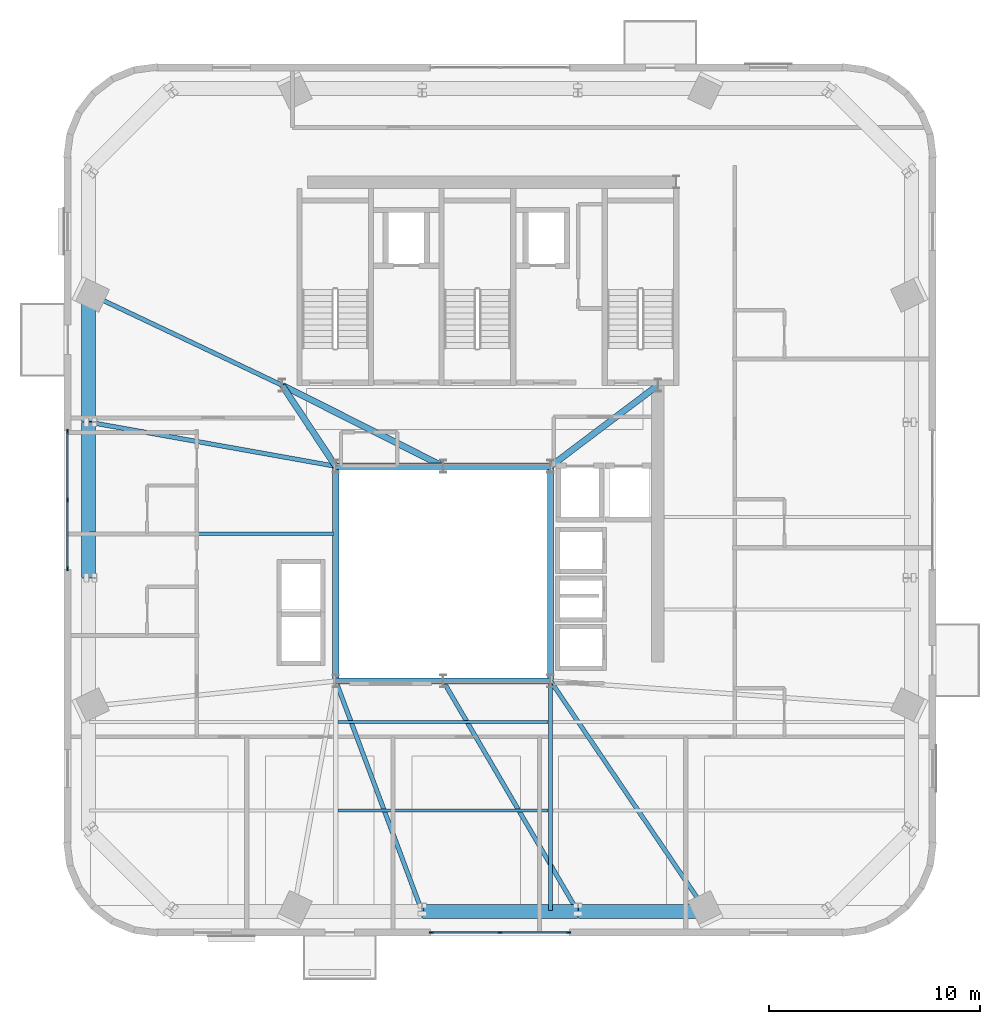
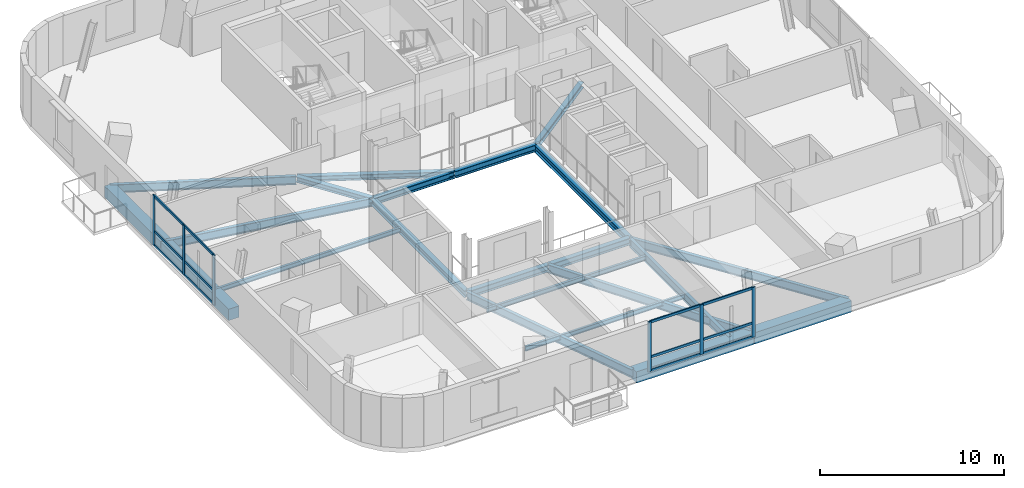
# One storey, part 2 of 13: 22 beams, 18 members, 2 elements without a shape of their own.
"""IFC4 building model written with IfcOpenShell, lengths in metres."""

from ifc_helpers import new_model, si_unit, direction, frame, origin, origin_2d, place, context, subcontext, project, spatial, rectangle, i_section, extrude, source, transform, mapped, material, material_profile, profile_set, type_object, element, aggregate, save


model = new_model("IFC4")

# Units and contexts
model_context = context("Model", 3, precision=1e-05, world=origin(), true_north=direction((0.0, 1.0)))
body_context = subcontext(model_context, "Body", "Model", "MODEL_VIEW")
ifc_project = project(units=[si_unit("LENGTHUNIT", "METRE"), si_unit("AREAUNIT", "SQUARE_METRE"), si_unit("VOLUMEUNIT", "CUBIC_METRE"), si_unit("PLANEANGLEUNIT", "RADIAN"), si_unit("MASSUNIT", "GRAM", prefix="KILO")], contexts=[model_context])

# Site, building, storey
site_placement = place(None, origin())
site = spatial("IfcSite", under=ifc_project, at=site_placement, CompositionType="ELEMENT")
building_placement = place(site_placement, origin())
building = spatial("IfcBuilding", under=site, at=building_placement, Name="Vardaveli Station Tower", CompositionType="ELEMENT")
storey_placement = place(building_placement, frame((0.0, 0.0, 274.300048828125)))
storey = spatial("IfcBuildingStorey", under=building, at=storey_placement, Name="L70", CompositionType="ELEMENT", Elevation=274.300048828125)

# Beams
ifc_material_1 = material(Name="Structural steel S355J2", Category="steel")
ifc_material_profile_1 = material_profile(ifc_material_1, i_section(OverallWidth=0.300048828125, OverallDepth=0.449951171875, WebThickness=0.013916015625, FlangeThickness=0.02587890625, FilletRadius=0.027099609375, at=origin_2d()), Name="HEB 450")
ifc_profile_set_1 = profile_set([ifc_material_profile_1], Name="Structural steel S355J2")
beam_type_1 = type_object("IfcBeamType", Name="BM-HEB450", PredefinedType="BEAM", material=ifc_profile_set_1)
shared_shape_1 = source(origin(), body_context, "Body", "SweptSolid", [
    extrude(i_section(OverallWidth=0.300048828125, OverallDepth=0.449951171875, WebThickness=0.013916015625, FlangeThickness=0.02587890625, FilletRadius=0.027099609375, at=origin_2d()), origin(), (0.0, 0.0, 1.0), 5.06005859375),
])
for number, where, z_axis, x_axis, name in (
    (1, (31.219970703125, 16.60009765625, -0.525146484375), (1.0, 0.0, 0.0), (0.0, 1.0, 0.0), "ABM-L70-01"),
    (2, (36.280029296875, 26.800048828125, -0.525146484375), (-1.0, 0.0, 0.0), (0.0, -1.0, 0.0), "ABM-L70-05"),
):
    element("IfcBeam", number, at=place(storey_placement, frame(where, z_axis=z_axis, x_axis=x_axis)), inside=storey, type_object=beam_type_1, Name=name, PredefinedType="BEAM", context=body_context, shape_type="MappedRepresentation", body=[
        mapped(shared_shape_1, transform((0.0, 0.0, 0.0), scale=1.0)),
    ])
shared_shape_2 = source(origin(), body_context, "Body", "SweptSolid", [
    extrude(i_section(OverallWidth=0.300048828125, OverallDepth=0.449951171875, WebThickness=0.013916015625, FlangeThickness=0.02587890625, FilletRadius=0.027099609375, at=origin_2d()), origin(), (0.0, 0.0, 1.0), 5.059814453125),
])
for number, where, z_axis, x_axis, name in (
    (3, (36.320068359375, 16.60009765625, -0.525146484375), (1.0, 0.0, 0.0), (0.0, 1.0, 0.0), "ABM-L70-02"),
    (4, (41.3798828125, 26.800048828125, -0.525146484375), (-1.0, 0.0, 0.0), (0.0, -1.0, 0.0), "ABM-L70-04"),
):
    element("IfcBeam", number, at=place(storey_placement, frame(where, z_axis=z_axis, x_axis=x_axis)), inside=storey, type_object=beam_type_1, Name=name, PredefinedType="BEAM", context=body_context, shape_type="MappedRepresentation", body=[
        mapped(shared_shape_2, transform((0.0, 0.0, 0.0), scale=1.0)),
    ])
shared_shape_3 = source(origin(), body_context, "Body", "SweptSolid", [
    extrude(i_section(OverallWidth=0.300048828125, OverallDepth=0.449951171875, WebThickness=0.013916015625, FlangeThickness=0.02587890625, FilletRadius=0.027099609375, at=origin_2d()), origin(), (0.0, 0.0, 1.0), 10.159912109375),
])
for number, where, z_axis, x_axis, name in (
    (5, (41.39990234375, 16.6201171875, -0.525146484375), (0.0, 1.0, 0.0), (-1.0, 0.0, 0.0), "ABM-L70-03"),
    (6, (31.199951171875, 26.780029296875, -0.525146484375), (0.0, -1.0, 0.0), (1.0, 0.0, 0.0), "ABM-L70-06"),
):
    element("IfcBeam", number, at=place(storey_placement, frame(where, z_axis=z_axis, x_axis=x_axis)), inside=storey, type_object=beam_type_1, Name=name, PredefinedType="BEAM", context=body_context, shape_type="MappedRepresentation", body=[
        mapped(shared_shape_3, transform((0.0, 0.0, 0.0), scale=1.0)),
    ])
ifc_material_profile_2 = material_profile(ifc_material_1, i_section(OverallWidth=0.300048828125, OverallDepth=0.360107421875, WebThickness=0.012451171875, FlangeThickness=0.0224609375, FilletRadius=0.027099609375, at=origin_2d()), Name="HEB 360")
ifc_profile_set_2 = profile_set([ifc_material_profile_2], Name="Structural steel S355J2")
beam_type_2 = type_object("IfcBeamType", Name="BM-HEB360", PredefinedType="BEAM", material=ifc_profile_set_2)
shared_shape_4 = source(origin(), body_context, "Body", "SweptSolid", [
    extrude(i_section(OverallWidth=0.300048828125, OverallDepth=0.360107421875, WebThickness=0.012451171875, FlangeThickness=0.0224609375, FilletRadius=0.027099609375, at=origin_2d()), origin(), (0.0, 0.0, 1.0), 4.577880859375),
])
beam_1_placement = place(storey_placement, frame((31.18896484375, 26.816650390625, -0.47998046875), z_axis=(-0.55218702139, 0.833720272879, 0.0), x_axis=(-0.833720272879, -0.55218702139, 0.0)))
element("IfcBeam", 7, at=beam_1_placement, inside=storey, type_object=beam_type_2, Name="CBM-L70-01", PredefinedType="BEAM", context=body_context, shape_type="MappedRepresentation", body=[
    mapped(shared_shape_4, transform((0.0, 0.0, 0.0), scale=1.0)),
])
shared_shape_5 = source(origin(), body_context, "Body", "SweptSolid", [
    extrude(i_section(OverallWidth=0.300048828125, OverallDepth=0.360107421875, WebThickness=0.012451171875, FlangeThickness=0.0224609375, FilletRadius=0.027099609375, at=origin_2d()), origin(), (0.0, 0.0, 1.0), 6.35009765625),
])
beam_2_placement = place(storey_placement, frame((41.416015625, 26.81201171875, -0.47998046875), z_axis=(0.798118337722, 0.602500721154, 0.0), x_axis=(-0.602500721154, 0.798118337722, 0.0)))
element("IfcBeam", 8, at=beam_2_placement, inside=storey, type_object=beam_type_2, Name="CBM-L70-02", PredefinedType="BEAM", context=body_context, shape_type="MappedRepresentation", body=[
    mapped(shared_shape_5, transform((0.0, 0.0, 0.0), scale=1.0)),
])
shared_shape_6 = source(origin(), body_context, "Body", "SweptSolid", [
    extrude(i_section(OverallWidth=0.300048828125, OverallDepth=0.360107421875, WebThickness=0.012451171875, FlangeThickness=0.0224609375, FilletRadius=0.027099609375, at=origin_2d()), origin(), (0.0, 0.0, 1.0), 8.524169921875),
])
beam_3_placement = place(storey_placement, frame((28.66796875, 30.64111328125, -0.47998046875), z_axis=(0.893255584708, -0.449549174605, 0.0), x_axis=(0.449549174605, 0.893255584708, 0.0)))
element("IfcBeam", 9, at=beam_3_placement, inside=storey, type_object=beam_type_2, Name="CBM-L70-03", PredefinedType="BEAM", context=body_context, shape_type="MappedRepresentation", body=[
    mapped(shared_shape_6, transform((0.0, 0.0, 0.0), scale=1.0)),
])
ifc_material_2 = material(Name="Precast concrete C45/55", Category="concrete")
ifc_material_profile_3 = material_profile(ifc_material_2, rectangle(XDim=0.64990234375, YDim=0.75, at=origin_2d()), Name="LPB 650x750")
ifc_profile_set_3 = profile_set([ifc_material_profile_3], Name="Precast concrete C45/55")
beam_type_3 = type_object("IfcBeamType", Name="BM-LPB-750", PredefinedType="BEAM", material=ifc_profile_set_3)
shared_shape_7 = source(origin(), body_context, "Body", "SweptSolid", [
    extrude(rectangle(XDim=0.64990234375, YDim=0.75, at=origin_2d()), origin(), (0.0, 0.0, 1.0), 7.35986328125),
])
for number, where, z_axis, x_axis, name in (
    (10, (35.320068359375, 5.64990234375, -0.675048828125), (1.0, 0.0, 0.0), (0.0, 1.0, 0.0), "RBM-L70-02"),
    (11, (19.449951171875, 28.8798828125, -0.675048828125), (0.0, -1.0, 0.0), (1.0, 0.0, 0.0), "RBM-L70-20"),
):
    element("IfcBeam", number, at=place(storey_placement, frame(where, z_axis=z_axis, x_axis=x_axis)), inside=storey, type_object=beam_type_3, Name=name, PredefinedType="BEAM", context=body_context, shape_type="MappedRepresentation", body=[
        mapped(shared_shape_7, transform((0.0, 0.0, 0.0), scale=1.0)),
    ])
ifc_material_profile_4 = material_profile(ifc_material_1, i_section(OverallWidth=0.14990234375, OverallDepth=0.300048828125, WebThickness=0.007080078125, FlangeThickness=0.0107421875, FilletRadius=0.014892578125, at=origin_2d()), Name="IPE 300")
ifc_profile_set_4 = profile_set([ifc_material_profile_4], Name="Structural steel S355J2")
beam_type_4 = type_object("IfcBeamType", Name="BM-IPE300", PredefinedType="JOIST", material=ifc_profile_set_4)
shared_shape_8 = source(origin(), body_context, "Body", "SweptSolid", [
    extrude(i_section(OverallWidth=0.14990234375, OverallDepth=0.300048828125, WebThickness=0.007080078125, FlangeThickness=0.0107421875, FilletRadius=0.014892578125, at=origin_2d()), origin(), (0.0, 0.0, 1.0), 9.97607421875),
])
for number, where, z_axis, x_axis, name in (
    (12, (31.31201171875, 10.449951171875, -0.449951171875), (1.0, 0.0, 0.0), (0.0, 1.0, 0.0), "SJ-L70-S02"),
    (13, (31.31201171875, 14.64990234375, -0.449951171875), (1.0, 0.0, 0.0), (0.0, 1.0, 0.0), "SJ-L70-S05"),
):
    element("IfcBeam", number, at=place(storey_placement, frame(where, z_axis=z_axis, x_axis=x_axis)), inside=storey, type_object=beam_type_4, Name=name, PredefinedType="JOIST", context=body_context, shape_type="MappedRepresentation", body=[
        mapped(shared_shape_8, transform((0.0, 0.0, 0.0), scale=1.0)),
    ])
shared_shape_9 = source(origin(), body_context, "Body", "SweptSolid", [
    extrude(rectangle(XDim=0.64990234375, YDim=0.75, at=origin_2d()), origin(), (0.0, 0.0, 1.0), 6.07177734375),
])
for number, where, z_axis, x_axis, name in (
    (14, (42.719970703125, 5.64990234375, -0.675048828125), (1.0, 0.0, 0.0), (0.0, 1.0, 0.0), "RBM-L70-03"),
    (15, (19.449951171875, 34.99169921875, -0.675048828125), (0.0, -1.0, 0.0), (1.0, 0.0, 0.0), "RBM-L70-19"),
):
    element("IfcBeam", number, at=place(storey_placement, frame(where, z_axis=z_axis, x_axis=x_axis)), inside=storey, type_object=beam_type_3, Name=name, PredefinedType="BEAM", context=body_context, shape_type="MappedRepresentation", body=[
        mapped(shared_shape_9, transform((0.0, 0.0, 0.0), scale=1.0)),
    ])
ifc_material_profile_5 = material_profile(ifc_material_1, i_section(OverallWidth=0.2099609375, OverallDepth=0.550048828125, WebThickness=0.010986328125, FlangeThickness=0.01708984375, FilletRadius=0.02392578125, at=origin_2d()), Name="IPE 550")
ifc_profile_set_5 = profile_set([ifc_material_profile_5], Name="Structural steel S355J2")
beam_type_5 = type_object("IfcBeamType", Name="BM-IPE550", PredefinedType="BEAM", material=ifc_profile_set_5)
shared_shape_10 = source(origin(), body_context, "Body", "SweptSolid", [
    extrude(i_section(OverallWidth=0.2099609375, OverallDepth=0.550048828125, WebThickness=0.010986328125, FlangeThickness=0.01708984375, FilletRadius=0.02392578125, at=origin_2d()), origin(), (0.0, 0.0, 1.0), 11.65234375),
])
beam_4_placement = place(storey_placement, frame((35.29296875, 5.668701171875, -0.574951171875), z_axis=(-0.350650401275, 0.936506431417, 0.0), x_axis=(-0.936506431417, -0.350650401275, 0.0)))
element("IfcBeam", 16, at=beam_4_placement, inside=storey, type_object=beam_type_5, Name="GBM-L70-02", PredefinedType="BEAM", context=body_context, shape_type="MappedRepresentation", body=[
    mapped(shared_shape_10, transform((0.0, 0.0, 0.0), scale=1.0)),
])
shared_shape_11 = source(origin(), body_context, "Body", "SweptSolid", [
    extrude(i_section(OverallWidth=0.2099609375, OverallDepth=0.550048828125, WebThickness=0.010986328125, FlangeThickness=0.01708984375, FilletRadius=0.02392578125, at=origin_2d()), origin(), (0.0, 0.0, 1.0), 12.643310546875),
])
beam_5_placement = place(storey_placement, frame((42.68994140625, 5.667236328125, -0.574951171875), z_axis=(-0.504608022476, 0.863348564401, 0.0), x_axis=(-0.863348564401, -0.504608022476, 0.0)))
element("IfcBeam", 17, at=beam_5_placement, inside=storey, type_object=beam_type_5, Name="GBM-L70-03", PredefinedType="BEAM", context=body_context, shape_type="MappedRepresentation", body=[
    mapped(shared_shape_11, transform((0.0, 0.0, 0.0), scale=1.0)),
])
shared_shape_12 = source(origin(), body_context, "Body", "SweptSolid", [
    extrude(i_section(OverallWidth=0.2099609375, OverallDepth=0.550048828125, WebThickness=0.010986328125, FlangeThickness=0.01708984375, FilletRadius=0.02392578125, at=origin_2d()), origin(), (0.0, 0.0, 1.0), 13.1826171875),
])
beam_6_placement = place(storey_placement, frame((48.800537109375, 5.66650390625, -0.574951171875), z_axis=(-0.560537298789, 0.828129178731, 0.0), x_axis=(-0.828129178731, -0.560537298789, 0.0)))
element("IfcBeam", 18, at=beam_6_placement, inside=storey, type_object=beam_type_5, Name="GBM-L70-04", PredefinedType="BEAM", context=body_context, shape_type="MappedRepresentation", body=[
    mapped(shared_shape_12, transform((0.0, 0.0, 0.0), scale=1.0)),
])
shared_shape_13 = source(origin(), body_context, "Body", "SweptSolid", [
    extrude(i_section(OverallWidth=0.2099609375, OverallDepth=0.550048828125, WebThickness=0.010986328125, FlangeThickness=0.01708984375, FilletRadius=0.02392578125, at=origin_2d()), origin(), (0.0, 0.0, 1.0), 11.896240234375),
])
beam_7_placement = place(storey_placement, frame((19.4697265625, 28.896484375, -0.574951171875), z_axis=(0.984401055075, -0.175939088231, 0.0), x_axis=(0.175939088231, 0.984401055075, 0.0)))
element("IfcBeam", 19, at=beam_7_placement, inside=storey, type_object=beam_type_5, Name="GBM-L70-08", PredefinedType="BEAM", context=body_context, shape_type="MappedRepresentation", body=[
    mapped(shared_shape_13, transform((0.0, 0.0, 0.0), scale=1.0)),
])
shared_shape_14 = source(origin(), body_context, "Body", "SweptSolid", [
    extrude(i_section(OverallWidth=0.2099609375, OverallDepth=0.550048828125, WebThickness=0.010986328125, FlangeThickness=0.01708984375, FilletRadius=0.02392578125, at=origin_2d()), origin(), (0.0, 0.0, 1.0), 10.1416015625),
])
beam_8_placement = place(storey_placement, frame((19.468017578125, 35.003173828125, -0.574951171875), z_axis=(0.903586317445, -0.428406077135, 0.0), x_axis=(0.428406077135, 0.903586317445, 0.0)))
element("IfcBeam", 20, at=beam_8_placement, inside=storey, type_object=beam_type_5, Name="GBM-L70-12", PredefinedType="BEAM", context=body_context, shape_type="MappedRepresentation", body=[
    mapped(shared_shape_14, transform((0.0, 0.0, 0.0), scale=1.0)),
])
shared_shape_15 = source(origin(), body_context, "Body", "SweptSolid", [
    extrude(i_section(OverallWidth=0.2099609375, OverallDepth=0.550048828125, WebThickness=0.010986328125, FlangeThickness=0.01708984375, FilletRadius=0.02392578125, at=origin_2d()), origin(), (0.0, 0.0, 1.0), 10.77001953125),
])
beam_9_placement = place(storey_placement, frame((41.39990234375, 5.68994140625, -0.574951171875), z_axis=(0.0, 1.0, 0.0), x_axis=(-1.0, 0.0, 0.0)))
element("IfcBeam", 21, at=beam_9_placement, inside=storey, type_object=beam_type_5, Name="NSM-L70-S2", PredefinedType="BEAM", context=body_context, shape_type="MappedRepresentation", body=[
    mapped(shared_shape_15, transform((0.0, 0.0, 0.0), scale=1.0)),
])
shared_shape_16 = source(origin(), body_context, "Body", "SweptSolid", [
    extrude(i_section(OverallWidth=0.14990234375, OverallDepth=0.300048828125, WebThickness=0.007080078125, FlangeThickness=0.0107421875, FilletRadius=0.014892578125, at=origin_2d()), origin(), (0.0, 0.0, 1.0), 11.597900390625),
])
beam_10_placement = place(storey_placement, frame((19.489990234375, 23.60009765625, -0.449951171875), z_axis=(1.0, 0.0, 0.0), x_axis=(0.0, 1.0, 0.0)))
element("IfcBeam", 22, at=beam_10_placement, inside=storey, type_object=beam_type_4, Name="SJ-L70-W08", PredefinedType="JOIST", context=body_context, shape_type="MappedRepresentation", body=[
    mapped(shared_shape_16, transform((0.0, 0.0, 0.0), scale=1.0)),
])

# Curtain wall, members
ifc_material_3 = material(Name="Travertine stone and solar-control glass", Category="masonry")
curtain_wall_type = type_object("IfcCurtainWallType", Name="CW-SYS-5", PredefinedType="NOTDEFINED", material=ifc_material_3)
curtain_wall_1_placement = place(storey_placement, origin())
curtain_wall_1 = element("IfcCurtainWall", 23, at=curtain_wall_1_placement, inside=storey, type_object=curtain_wall_type, Name="CW-L70-S", PredefinedType="NOTDEFINED")
ifc_material_4 = material(Name="Anodised aluminium alloy 6063-T6", Category="aluminium")
ifc_material_profile_6 = material_profile(ifc_material_4, rectangle(XDim=0.080078125, YDim=0.1650390625, at=origin_2d()), Name="CWT 80x165")
ifc_profile_set_6 = profile_set([ifc_material_profile_6], Name="Anodised aluminium alloy 6063-T6")
member_type_1 = type_object("IfcMemberType", Name="CW-SYS-5-TRAN", PredefinedType="NOTDEFINED", material=ifc_profile_set_6)
shared_shape_17 = source(origin(), body_context, "Body", "SweptSolid", [
    extrude(rectangle(XDim=0.080078125, YDim=0.1650390625, at=origin_2d()), origin(), (0.0, 0.0, 1.0), 3.179931640625),
])
member_1_placement = place(storey_placement, frame((35.780029296875, 4.659912109375, 0.0400390625), z_axis=(1.0, 0.0, 0.0), x_axis=(0.0, 1.0, 0.0)))
member_1 = element("IfcMember", 24, at=member_1_placement, type_object=member_type_1, Name="CW-5 transom 1.1", ObjectType="TRANSOM", PredefinedType="USERDEFINED", context=body_context, shape_type="MappedRepresentation", body=[
    mapped(shared_shape_17, transform((0.0, 0.0, 0.0), scale=1.0)),
])
member_2_placement = place(storey_placement, frame((35.780029296875, 4.659912109375, 0.949951171875), z_axis=(1.0, 0.0, 0.0), x_axis=(0.0, 1.0, 0.0)))
member_2 = element("IfcMember", 25, at=member_2_placement, type_object=member_type_1, Name="CW-5 transom 1.2", ObjectType="TRANSOM", PredefinedType="USERDEFINED", context=body_context, shape_type="MappedRepresentation", body=[
    mapped(shared_shape_17, transform((0.0, 0.0, 0.0), scale=1.0)),
])
member_3_placement = place(storey_placement, frame((35.780029296875, 4.659912109375, 3.260009765625), z_axis=(1.0, 0.0, 0.0), x_axis=(0.0, 1.0, 0.0)))
member_3 = element("IfcMember", 26, at=member_3_placement, type_object=member_type_1, Name="CW-5 transom 1.3", ObjectType="TRANSOM", PredefinedType="USERDEFINED", context=body_context, shape_type="MappedRepresentation", body=[
    mapped(shared_shape_17, transform((0.0, 0.0, 0.0), scale=1.0)),
])
member_4_placement = place(storey_placement, frame((39.0400390625, 4.659912109375, 0.0400390625), z_axis=(1.0, 0.0, 0.0), x_axis=(0.0, 1.0, 0.0)))
member_4 = element("IfcMember", 27, at=member_4_placement, type_object=member_type_1, Name="CW-5 transom 2.1", ObjectType="TRANSOM", PredefinedType="USERDEFINED", context=body_context, shape_type="MappedRepresentation", body=[
    mapped(shared_shape_17, transform((0.0, 0.0, 0.0), scale=1.0)),
])
member_5_placement = place(storey_placement, frame((39.0400390625, 4.659912109375, 0.949951171875), z_axis=(1.0, 0.0, 0.0), x_axis=(0.0, 1.0, 0.0)))
member_5 = element("IfcMember", 28, at=member_5_placement, type_object=member_type_1, Name="CW-5 transom 2.2", ObjectType="TRANSOM", PredefinedType="USERDEFINED", context=body_context, shape_type="MappedRepresentation", body=[
    mapped(shared_shape_17, transform((0.0, 0.0, 0.0), scale=1.0)),
])
member_6_placement = place(storey_placement, frame((39.0400390625, 4.659912109375, 3.260009765625), z_axis=(1.0, 0.0, 0.0), x_axis=(0.0, 1.0, 0.0)))
member_6 = element("IfcMember", 29, at=member_6_placement, type_object=member_type_1, Name="CW-5 transom 2.3", ObjectType="TRANSOM", PredefinedType="USERDEFINED", context=body_context, shape_type="MappedRepresentation", body=[
    mapped(shared_shape_17, transform((0.0, 0.0, 0.0), scale=1.0)),
])

curtain_wall_2_placement = place(storey_placement, origin())
curtain_wall_2 = element("IfcCurtainWall", 30, at=curtain_wall_2_placement, inside=storey, type_object=curtain_wall_type, Name="CW-L70-W", PredefinedType="NOTDEFINED")
member_7_placement = place(storey_placement, frame((18.4599609375, 28.419921875, 0.0400390625), z_axis=(0.0, -1.0, 0.0), x_axis=(1.0, 0.0, 0.0)))
member_7 = element("IfcMember", 31, at=member_7_placement, type_object=member_type_1, Name="CW-5 transom 1.1", ObjectType="TRANSOM", PredefinedType="USERDEFINED", context=body_context, shape_type="MappedRepresentation", body=[
    mapped(shared_shape_17, transform((0.0, 0.0, 0.0), scale=1.0)),
])
member_8_placement = place(storey_placement, frame((18.4599609375, 28.419921875, 0.949951171875), z_axis=(0.0, -1.0, 0.0), x_axis=(1.0, 0.0, 0.0)))
member_8 = element("IfcMember", 32, at=member_8_placement, type_object=member_type_1, Name="CW-5 transom 1.2", ObjectType="TRANSOM", PredefinedType="USERDEFINED", context=body_context, shape_type="MappedRepresentation", body=[
    mapped(shared_shape_17, transform((0.0, 0.0, 0.0), scale=1.0)),
])
member_9_placement = place(storey_placement, frame((18.4599609375, 28.419921875, 3.260009765625), z_axis=(0.0, -1.0, 0.0), x_axis=(1.0, 0.0, 0.0)))
member_9 = element("IfcMember", 33, at=member_9_placement, type_object=member_type_1, Name="CW-5 transom 1.3", ObjectType="TRANSOM", PredefinedType="USERDEFINED", context=body_context, shape_type="MappedRepresentation", body=[
    mapped(shared_shape_17, transform((0.0, 0.0, 0.0), scale=1.0)),
])
member_10_placement = place(storey_placement, frame((18.4599609375, 25.159912109375, 0.0400390625), z_axis=(0.0, -1.0, 0.0), x_axis=(1.0, 0.0, 0.0)))
member_10 = element("IfcMember", 34, at=member_10_placement, type_object=member_type_1, Name="CW-5 transom 2.1", ObjectType="TRANSOM", PredefinedType="USERDEFINED", context=body_context, shape_type="MappedRepresentation", body=[
    mapped(shared_shape_17, transform((0.0, 0.0, 0.0), scale=1.0)),
])
member_11_placement = place(storey_placement, frame((18.4599609375, 25.159912109375, 0.949951171875), z_axis=(0.0, -1.0, 0.0), x_axis=(1.0, 0.0, 0.0)))
member_11 = element("IfcMember", 35, at=member_11_placement, type_object=member_type_1, Name="CW-5 transom 2.2", ObjectType="TRANSOM", PredefinedType="USERDEFINED", context=body_context, shape_type="MappedRepresentation", body=[
    mapped(shared_shape_17, transform((0.0, 0.0, 0.0), scale=1.0)),
])
member_12_placement = place(storey_placement, frame((18.4599609375, 25.159912109375, 3.260009765625), z_axis=(0.0, -1.0, 0.0), x_axis=(1.0, 0.0, 0.0)))
member_12 = element("IfcMember", 36, at=member_12_placement, type_object=member_type_1, Name="CW-5 transom 2.3", ObjectType="TRANSOM", PredefinedType="USERDEFINED", context=body_context, shape_type="MappedRepresentation", body=[
    mapped(shared_shape_17, transform((0.0, 0.0, 0.0), scale=1.0)),
])

# Member
ifc_material_profile_7 = material_profile(ifc_material_4, rectangle(XDim=0.080078125, YDim=0.205078125, at=origin_2d()), Name="CWM 80x205")
ifc_profile_set_7 = profile_set([ifc_material_profile_7], Name="Anodised aluminium alloy 6063-T6")
member_type_2 = type_object("IfcMemberType", Name="CW-SYS-5-MULL", PredefinedType="MULLION", material=ifc_profile_set_7)
shared_shape_18 = source(origin(), body_context, "Body", "SweptSolid", [
    extrude(rectangle(XDim=0.080078125, YDim=0.205078125, at=origin_2d()), origin(), (0.0, 0.0, 1.0), 3.300048828125),
])
member_13_placement = place(storey_placement, frame((35.739990234375, 4.659912109375, 0.0), z_axis=(0.0, 0.0, 1.0), x_axis=(0.0, 1.0, 0.0)))
member_13 = element("IfcMember", 37, at=member_13_placement, type_object=member_type_2, Name="CW-5 mullion 1", PredefinedType="MULLION", context=body_context, shape_type="MappedRepresentation", body=[
    mapped(shared_shape_18, transform((0.0, 0.0, 0.0), scale=1.0)),
])

member_14_placement = place(storey_placement, frame((39.0, 4.659912109375, 0.0), z_axis=(0.0, 0.0, 1.0), x_axis=(0.0, 1.0, 0.0)))
member_14 = element("IfcMember", 38, at=member_14_placement, type_object=member_type_2, Name="CW-5 mullion 2", PredefinedType="MULLION", context=body_context, shape_type="MappedRepresentation", body=[
    mapped(shared_shape_18, transform((0.0, 0.0, 0.0), scale=1.0)),
])

member_15_placement = place(storey_placement, frame((42.260009765625, 4.659912109375, 0.0), z_axis=(0.0, 0.0, 1.0), x_axis=(0.0, 1.0, 0.0)))
member_15 = element("IfcMember", 39, at=member_15_placement, type_object=member_type_2, Name="CW-5 mullion 3", PredefinedType="MULLION", context=body_context, shape_type="MappedRepresentation", body=[
    mapped(shared_shape_18, transform((0.0, 0.0, 0.0), scale=1.0)),
])

aggregate(curtain_wall_1, [member_13, member_14, member_15, member_1, member_2, member_3, member_4, member_5, member_6])

member_16_placement = place(storey_placement, frame((18.4599609375, 28.4599609375, 0.0), z_axis=(0.0, 0.0, 1.0), x_axis=(1.0, 0.0, 0.0)))
member_16 = element("IfcMember", 40, at=member_16_placement, type_object=member_type_2, Name="CW-5 mullion 1", PredefinedType="MULLION", context=body_context, shape_type="MappedRepresentation", body=[
    mapped(shared_shape_18, transform((0.0, 0.0, 0.0), scale=1.0)),
])

member_17_placement = place(storey_placement, frame((18.4599609375, 25.199951171875, 0.0), z_axis=(0.0, 0.0, 1.0), x_axis=(1.0, 0.0, 0.0)))
member_17 = element("IfcMember", 41, at=member_17_placement, type_object=member_type_2, Name="CW-5 mullion 2", PredefinedType="MULLION", context=body_context, shape_type="MappedRepresentation", body=[
    mapped(shared_shape_18, transform((0.0, 0.0, 0.0), scale=1.0)),
])

member_18_placement = place(storey_placement, frame((18.4599609375, 21.93994140625, 0.0), z_axis=(0.0, 0.0, 1.0), x_axis=(1.0, 0.0, 0.0)))
member_18 = element("IfcMember", 42, at=member_18_placement, type_object=member_type_2, Name="CW-5 mullion 3", PredefinedType="MULLION", context=body_context, shape_type="MappedRepresentation", body=[
    mapped(shared_shape_18, transform((0.0, 0.0, 0.0), scale=1.0)),
])

aggregate(curtain_wall_2, [member_16, member_17, member_18, member_7, member_8, member_9, member_10, member_11, member_12])

save(model, "model.ifc")
